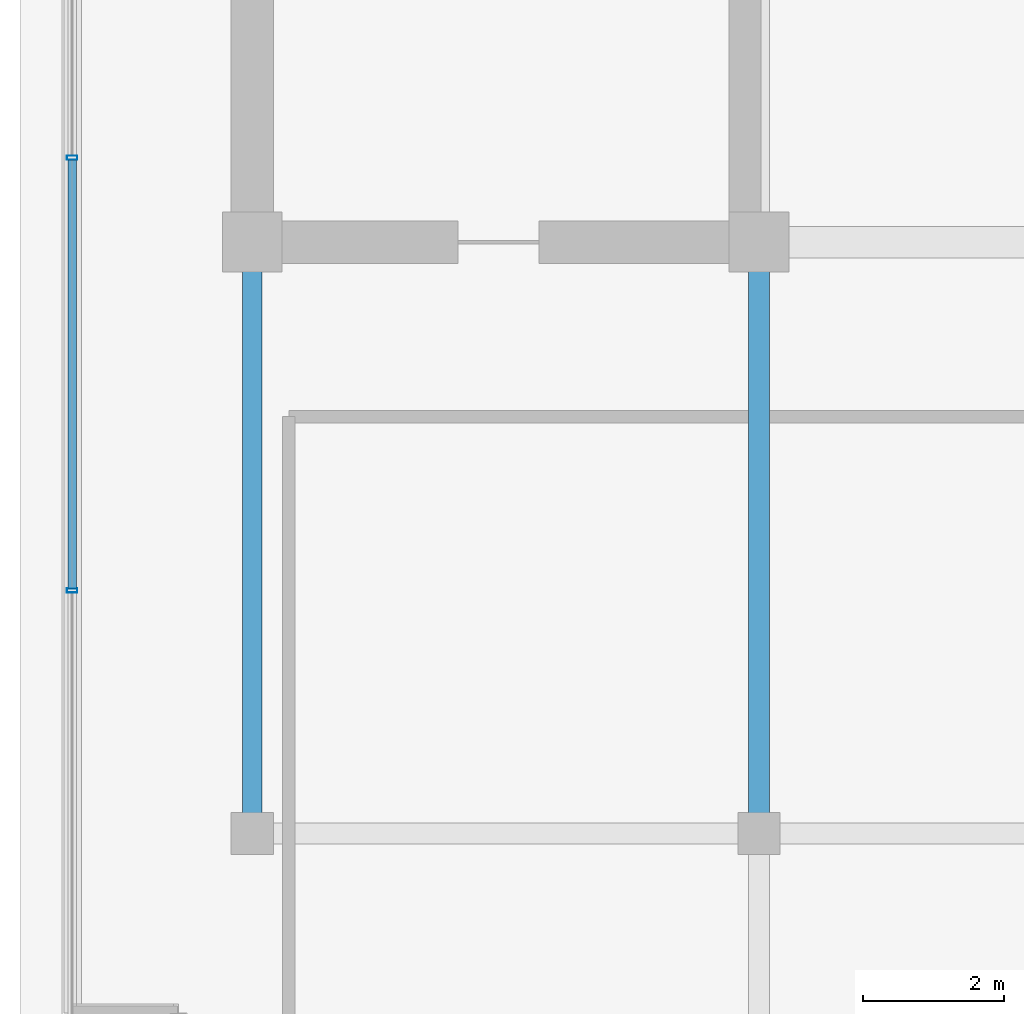
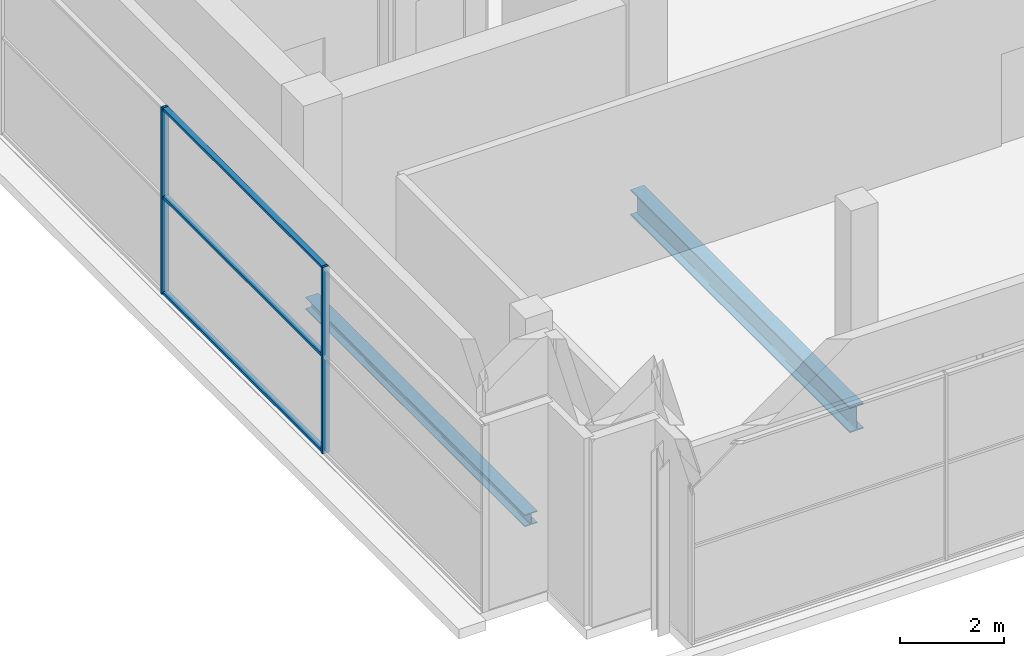
# One storey, part 5 of 22: 5 members, 2 beams, 1 element without a shape of its own.
"""IFC4 building model written with IfcOpenShell, lengths in metres."""

from ifc_helpers import new_model, si_unit, direction, frame, origin, origin_2d, place, context, subcontext, project, spatial, hollow_rectangle, i_section, extrude, source, transform, mapped, material, layer, layer_set, material_profile, profile_set, type_object, element, aggregate, save


model = new_model("IFC4")

# Units and contexts
model_context = context("Model", 3, precision=1e-05, world=origin(), true_north=direction((0.0, 1.0)))
body_context = subcontext(model_context, "Body", "Model", "MODEL_VIEW")
ifc_project = project(units=[si_unit("LENGTHUNIT", "METRE"), si_unit("AREAUNIT", "SQUARE_METRE"), si_unit("VOLUMEUNIT", "CUBIC_METRE"), si_unit("PLANEANGLEUNIT", "RADIAN"), si_unit("MASSUNIT", "GRAM", prefix="KILO")], contexts=[model_context])

# Site, building, storey
site_placement = place(None, origin())
site = spatial("IfcSite", under=ifc_project, at=site_placement, CompositionType="ELEMENT")
building_placement = place(site_placement, origin())
building = spatial("IfcBuilding", under=site, at=building_placement, Name="Zarnakvel Exchange Tower", CompositionType="ELEMENT")
storey_placement = place(building_placement, frame((0.0, 0.0, 299.199951171875)))
storey = spatial("IfcBuildingStorey", under=building, at=storey_placement, Name="Crown L83", CompositionType="ELEMENT", Elevation=299.199951171875)

# Beams
ifc_material_1 = material(Name="Steel S355", Category="steel")
ifc_material_profile_1 = material_profile(ifc_material_1, i_section(OverallWidth=0.300048828125, OverallDepth=0.60009765625, WebThickness=0.015380859375, FlangeThickness=0.030029296875, FilletRadius=0.027099609375, at=origin_2d()))
ifc_profile_set_1 = profile_set([ifc_material_profile_1], Name="Steel S355")
beam_type_1 = type_object("IfcBeamType", Name="G-04", PredefinedType="BEAM", material=ifc_profile_set_1)
beam_1_placement = place(storey_placement, frame((-7.199951171875, -9.60009765625, -0.52001953125), z_axis=(0.0, 1.0, 0.0), x_axis=(-1.0, 0.0, 0.0)))
element("IfcBeam", 1, at=beam_1_placement, inside=storey, type_object=beam_type_1, Name="Crown L83 Tower N-S Frame Beam", PredefinedType="BEAM", context=body_context, shape_type="SweptSolid", body=[
    extrude(i_section(OverallWidth=0.300048828125, OverallDepth=0.60009765625, WebThickness=0.015380859375, FlangeThickness=0.030029296875, FilletRadius=0.027099609375, at=origin_2d()), origin(), (0.0, 0.0, 1.0), 8.400146484375),
])
ifc_material_profile_2 = material_profile(ifc_material_1, i_section(OverallWidth=0.280029296875, OverallDepth=0.280029296875, WebThickness=0.010498046875, FlangeThickness=0.01806640625, FilletRadius=0.02392578125, at=origin_2d()))
ifc_profile_set_2 = profile_set([ifc_material_profile_2], Name="Steel S355")
beam_type_2 = type_object("IfcBeamType", Name="SP-04", PredefinedType="SPANDREL", material=ifc_profile_set_2)
beam_2_placement = place(storey_placement, frame((-14.39990234375, -9.60009765625, -0.35986328125), z_axis=(0.0, 1.0, 0.0), x_axis=(-1.0, 0.0, 0.0)))
element("IfcBeam", 2, at=beam_2_placement, inside=storey, type_object=beam_type_2, Name="Crown L83 Tower N-S Frame Beam", PredefinedType="SPANDREL", context=body_context, shape_type="SweptSolid", body=[
    extrude(i_section(OverallWidth=0.280029296875, OverallDepth=0.280029296875, WebThickness=0.010498046875, FlangeThickness=0.01806640625, FilletRadius=0.02392578125, at=origin_2d()), origin(), (0.0, 0.0, 1.0), 8.400146484375),
])

# Curtain wall, members
ifc_material_2 = material(Name="Architectural Bronze Anodised Aluminium", Category="aluminium")
ifc_layer = layer(ifc_material_2, 0.14990234375)
ifc_layer_set = layer_set([ifc_layer], Name="Architectural Bronze Anodised Aluminium")
curtain_wall_type = type_object("IfcCurtainWallType", Name="CW-07", PredefinedType="NOTDEFINED", material=ifc_layer_set)
curtain_wall_placement = place(storey_placement, origin())
curtain_wall = element("IfcCurtainWall", 3, at=curtain_wall_placement, inside=storey, type_object=curtain_wall_type, Name="Crown L83 Curtain Wall CW-Crown L83-W (CW-07)", PredefinedType="NOTDEFINED")
ifc_material_profile_3 = material_profile(ifc_material_2, hollow_rectangle(XDim=0.14990234375, YDim=0.06005859375, WallThickness=0.00390625, at=origin_2d()))
ifc_profile_set_3 = profile_set([ifc_material_profile_3], Name="Architectural Bronze Anodised Aluminium")
member_type_1 = type_object("IfcMemberType", Name="CWM-07", PredefinedType="MULLION", material=ifc_profile_set_3)
shared_shape_1 = source(origin(), body_context, "Body", "SweptSolid", [
    extrude(hollow_rectangle(XDim=0.14990234375, YDim=0.06005859375, WallThickness=0.00390625, at=origin_2d()), origin(), (0.0, 0.0, 1.0), 4.360107421875),
])
member_1_placement = place(storey_placement, frame((-16.9599609375, -6.14990234375, 0.0), z_axis=(0.0, 0.0, 1.0), x_axis=(-1.0, 0.0, 0.0)))
member_1 = element("IfcMember", 4, at=member_1_placement, type_object=member_type_1, Name="CW-07 mullion 2", PredefinedType="MULLION", context=body_context, shape_type="MappedRepresentation", body=[
    mapped(shared_shape_1, transform((0.0, 0.0, 0.0), x_axis=(1.0, 0.0, 0.0), y_axis=(0.0, 1.0, 0.0), z_axis=(0.0, 0.0, 1.0), scale=1.0)),
])
member_2_placement = place(storey_placement, frame((-16.9599609375, 0.0, 0.0), z_axis=(0.0, 0.0, 1.0), x_axis=(-1.0, 0.0, 0.0)))
member_2 = element("IfcMember", 5, at=member_2_placement, type_object=member_type_1, Name="CW-07 mullion 3", PredefinedType="MULLION", context=body_context, shape_type="MappedRepresentation", body=[
    mapped(shared_shape_1, transform((0.0, 0.0, 0.0), x_axis=(1.0, 0.0, 0.0), y_axis=(0.0, 1.0, 0.0), z_axis=(0.0, 0.0, 1.0), scale=1.0)),
])
ifc_material_profile_4 = material_profile(ifc_material_2, hollow_rectangle(XDim=0.1201171875, YDim=0.06005859375, WallThickness=0.00390625, at=origin_2d()))
ifc_profile_set_4 = profile_set([ifc_material_profile_4], Name="Architectural Bronze Anodised Aluminium")
member_type_2 = type_object("IfcMemberType", Name="CWT-07", PredefinedType="USERDEFINED", material=ifc_profile_set_4)
shared_shape_2 = source(origin(), body_context, "Body", "SweptSolid", [
    extrude(hollow_rectangle(XDim=0.1201171875, YDim=0.06005859375, WallThickness=0.00390625, at=origin_2d()), origin(), (0.0, 0.0, 1.0), 6.090087890625),
])
member_3_placement = place(storey_placement, frame((-16.9599609375, -6.1201171875, 0.030029296875), z_axis=(0.0, 1.0, 0.0), x_axis=(-1.0, 0.0, 0.0)))
member_3 = element("IfcMember", 6, at=member_3_placement, type_object=member_type_2, Name="CW-07 transom 2.1", ObjectType="TRANSOM", PredefinedType="USERDEFINED", context=body_context, shape_type="MappedRepresentation", body=[
    mapped(shared_shape_2, transform((0.0, 0.0, 0.0), x_axis=(1.0, 0.0, 0.0), y_axis=(0.0, 1.0, 0.0), z_axis=(0.0, 0.0, 1.0), scale=1.0)),
])
member_4_placement = place(storey_placement, frame((-16.9599609375, -6.1201171875, 2.267333984375), z_axis=(0.0, 1.0, 0.0), x_axis=(-1.0, 0.0, 0.0)))
member_4 = element("IfcMember", 7, at=member_4_placement, type_object=member_type_2, Name="CW-07 transom 2.2", ObjectType="TRANSOM", PredefinedType="USERDEFINED", context=body_context, shape_type="MappedRepresentation", body=[
    mapped(shared_shape_2, transform((0.0, 0.0, 0.0), x_axis=(1.0, 0.0, 0.0), y_axis=(0.0, 1.0, 0.0), z_axis=(0.0, 0.0, 1.0), scale=1.0)),
])
member_5_placement = place(storey_placement, frame((-16.9599609375, -6.1201171875, 4.330078125), z_axis=(0.0, 1.0, 0.0), x_axis=(-1.0, 0.0, 0.0)))
member_5 = element("IfcMember", 8, at=member_5_placement, type_object=member_type_2, Name="CW-07 transom 2.3", ObjectType="TRANSOM", PredefinedType="USERDEFINED", context=body_context, shape_type="MappedRepresentation", body=[
    mapped(shared_shape_2, transform((0.0, 0.0, 0.0), x_axis=(1.0, 0.0, 0.0), y_axis=(0.0, 1.0, 0.0), z_axis=(0.0, 0.0, 1.0), scale=1.0)),
])
aggregate(curtain_wall, [member_1, member_2, member_3, member_4, member_5])

save(model, "model.ifc")
